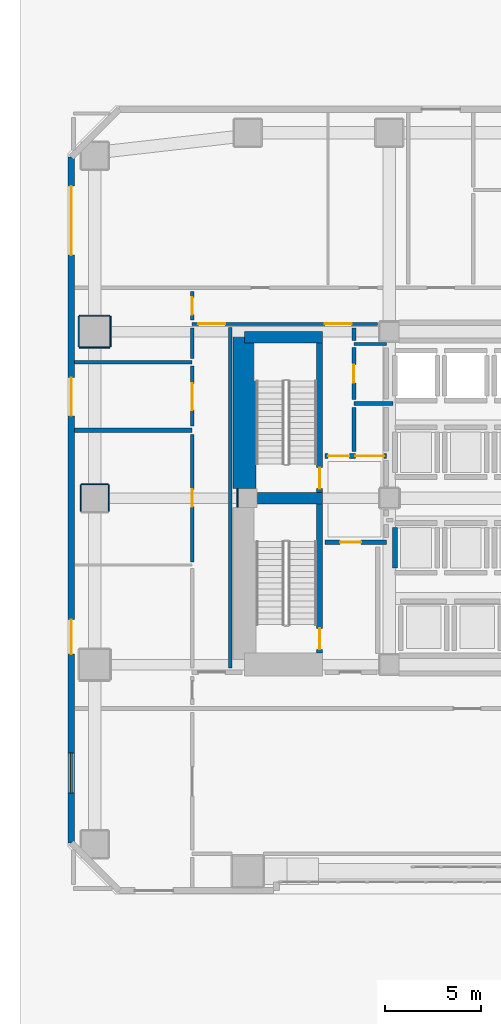
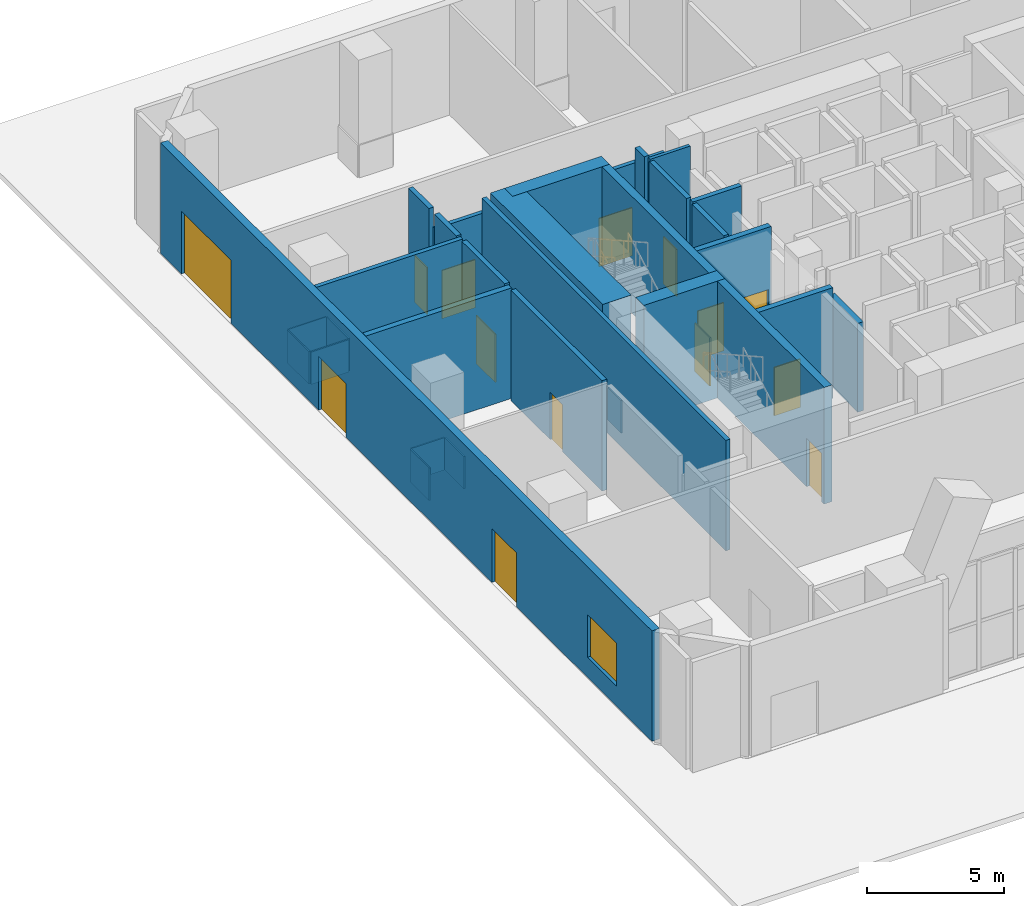
# One storey, part 20 of 30: 30 walls, 14 doors, 1 window, 15 openings.
"""IFC4 building model written with IfcOpenShell, lengths in metres."""

from ifc_helpers import new_model, si_unit, direction, frame, frame_2d, origin, place, context, subcontext, project, spatial, rectangle, extrude, material, layer, layer_set, type_object, element, fill, save


model = new_model("IFC4")

# Units and contexts
model_context = context("Model", 3, precision=1e-05, world=origin(), true_north=direction((0.0, 1.0)))
body_context = subcontext(model_context, "Body", "Model", "MODEL_VIEW")
ifc_project = project(units=[si_unit("LENGTHUNIT", "METRE"), si_unit("AREAUNIT", "SQUARE_METRE"), si_unit("VOLUMEUNIT", "CUBIC_METRE"), si_unit("PLANEANGLEUNIT", "RADIAN"), si_unit("MASSUNIT", "GRAM", prefix="KILO")], contexts=[model_context])

# Site, building, storey
site_placement = place(None, origin())
site = spatial("IfcSite", under=ifc_project, at=site_placement, CompositionType="ELEMENT")
building_placement = place(site_placement, origin())
building = spatial("IfcBuilding", under=site, at=building_placement, Name="Solanera Arch Residences", CompositionType="ELEMENT")
storey_placement = place(building_placement, origin())
storey = spatial("IfcBuildingStorey", under=building, at=storey_placement, Name="L00", CompositionType="ELEMENT", Elevation=0.0)

# Walls
ifc_material_1 = material(Name="Fire-Rated Gypsum Stud Partition", Category="gypsum")
ifc_layer_1 = layer(ifc_material_1, 0.06005859375)
ifc_layer_set_1 = layer_set([ifc_layer_1], Name="Fire-Rated Gypsum Stud Partition")
wall_type_1 = type_object("IfcWallType", Name="Column Acoustic Furring Wall 60", PredefinedType="PARTITIONING", material=ifc_layer_set_1)
wall_1_placement = place(storey_placement, frame((12.867919921875, 30.2099609375, 0.0), z_axis=(0.0, 0.0, 1.0), x_axis=(0.0, 1.0, 0.0)))
element("IfcWall", 1, at=wall_1_placement, inside=storey, type_object=wall_type_1, Name="L00 Column Furring 5W", PredefinedType="PARTITIONING", context=body_context, shape_type="SweptSolid", body=[
    extrude(rectangle(XDim=0.97998046875, YDim=0.06005859375, at=frame_2d((0.489990234375, 0.0))), origin(), (0.0, 0.0, 1.0), 1.449951171875),
])
wall_2_placement = place(storey_placement, frame((4.699951171875, 31.431884765625, 0.0), z_axis=(0.0, 0.0, 1.0), x_axis=(1.0, 0.0, 0.0)))
element("IfcWall", 2, at=wall_2_placement, inside=storey, type_object=wall_type_1, Name="L00 Column Furring 16N", PredefinedType="PARTITIONING", context=body_context, shape_type="SweptSolid", body=[
    extrude(rectangle(XDim=1.400146484375, YDim=0.06005859375, at=frame_2d((0.7001953125, 0.0))), origin(), (0.0, 0.0, 1.0), 1.449951171875),
])
for number, where, z_axis, x_axis, name in (
    (3, (4.66796875, 30.0, 0.0), (0.0, 0.0, 1.0), (0.0, 1.0, 0.0), "L00 Column Furring 16W"),
    (4, (6.132080078125, 30.0, 0.0), (0.0, 0.0, 1.0), (0.0, 1.0, 0.0), "L00 Column Furring 16E"),
):
    element("IfcWall", number, at=place(storey_placement, frame(where, z_axis=z_axis, x_axis=x_axis)), inside=storey, type_object=wall_type_1, Name=name, PredefinedType="PARTITIONING", context=body_context, shape_type="SweptSolid", body=[
        extrude(rectangle(XDim=1.39990234375, YDim=0.06005859375, at=frame_2d((0.699951171875, 0.0))), origin(), (0.0, 0.0, 1.0), 1.449951171875),
    ])
for number, where, z_axis, x_axis, name in (
    (5, (4.60009765625, 38.568115234375, 0.0), (0.0, 0.0, 1.0), (1.0, 0.0, 0.0), "L00 Column Furring 17S"),
    (6, (4.60009765625, 40.23193359375, 0.0), (0.0, 0.0, 1.0), (1.0, 0.0, 0.0), "L00 Column Furring 17N"),
    (7, (4.568115234375, 38.60009765625, 0.0), (0.0, 0.0, 1.0), (0.0, 1.0, 0.0), "L00 Column Furring 17W"),
    (8, (6.23193359375, 38.60009765625, 0.0), (0.0, 0.0, 1.0), (0.0, 1.0, 0.0), "L00 Column Furring 17E"),
):
    element("IfcWall", number, at=place(storey_placement, frame(where, z_axis=z_axis, x_axis=x_axis)), inside=storey, type_object=wall_type_1, Name=name, PredefinedType="PARTITIONING", context=body_context, shape_type="SweptSolid", body=[
        extrude(rectangle(XDim=1.599853515625, YDim=0.06005859375, at=frame_2d((0.7998046875, 0.0))), origin(), (0.0, 0.0, 1.0), 1.449951171875),
    ])
ifc_material_2 = material(Name="Concrete C55/67 (f'c = 60 MPa)", Category="concrete")
ifc_layer_2 = layer(ifc_material_2, 1.199951171875)
ifc_layer_set_2 = layer_set([ifc_layer_2], Name="Concrete C55/67 (f'c = 60 MPa)")
wall_type_2 = type_object("IfcWallType", Name="Core Shear Wall CW-1200", PredefinedType="SHEAR", material=ifc_layer_set_2)
wall_3_placement = place(storey_placement, frame((13.239990234375, 31.205078125, 0.0), z_axis=(0.0, 0.0, 1.0), x_axis=(0.0, 1.0, 0.0)))
element("IfcWall", 9, at=wall_3_placement, inside=storey, type_object=wall_type_2, Name="L00 West Core North Shear Wall", PredefinedType="SHEAR", context=body_context, shape_type="SweptSolid", body=[
    extrude(rectangle(XDim=8.19482421875, YDim=1.199951171875, at=frame_2d((4.097412109375, 0.0))), origin(), (0.0, 0.0, 1.0), 5.199951171875),
])

# Wall, opening, door
ifc_material_3 = material(Name="Concrete C40/50 (f'c = 45 MPa)", Category="concrete")
ifc_layer_3 = layer(ifc_material_3, 0.320068359375)
ifc_layer_set_3 = layer_set([ifc_layer_3], Name="Concrete C40/50 (f'c = 45 MPa)")
wall_type_3 = type_object("IfcWallType", Name="Core Shear Wall CW-320", PredefinedType="SHEAR", material=ifc_layer_set_3)
wall_4_placement = place(storey_placement, frame((17.159912109375, 31.0, 0.0), z_axis=(0.0, 0.0, 1.0), x_axis=(0.0, 1.0, 0.0)))
wall_4 = element("IfcWall", 10, at=wall_4_placement, inside=storey, type_object=wall_type_3, Name="L00 Stair ST-T1 East Shear Wall", PredefinedType="SHEAR", context=body_context, shape_type="SweptSolid", body=[
    extrude(rectangle(XDim=7.800048828125, YDim=0.320068359375, at=frame_2d((3.89990234375, 0.0))), origin(), (0.0, 0.0, 1.0), 5.199951171875),
])
opening_1_placement = place(wall_4_placement, frame((0.18994140625, 0.0, 0.0)))
opening_1 = element("IfcOpeningElement", 11, at=opening_1_placement, cuts=wall_4, Name="Opening DF-01", PredefinedType="OPENING", context=body_context, shape_type="SweptSolid", body=[
    extrude(rectangle(XDim=1.10009765625, YDim=2.14990234375, at=frame_2d((0.550048828125, 1.074951171875))), frame((0.0, 0.169921875, 0.0), z_axis=(0.0, -1.0, 0.0), x_axis=(1.0, 0.0, 0.0)), (0.0, 0.0, 1.0), 0.3401),
])
ifc_material_4 = material(Name="Fire-Rated Architectural Hardwood", Category="wood")
door_type_1 = type_object("IfcDoorType", Name="Stair Exit Fire Door DF-01", OperationType="NOTDEFINED", PredefinedType="DOOR", material=ifc_material_4)
door_1_placement = place(opening_1_placement, origin())
door_1 = element("IfcDoor", 12, at=door_1_placement, inside=storey, type_object=door_type_1, Name="DR-L00-STAIR-ST-T1", OperationType="SINGLE_SWING_LEFT", OverallHeight=2.14990234375, OverallWidth=1.10009765625, PredefinedType="DOOR", context=body_context, shape_type="SweptSolid", body=[
    extrude(rectangle(XDim=1.10009765625, YDim=2.14990234375, at=frame_2d((0.550048828125, 1.074951171875))), frame((0.0, 0.02490234375, 0.0), z_axis=(0.0, -1.0, 0.0), x_axis=(1.0, 0.0, 0.0)), (0.0, 0.0, 1.0), 0.050048828125),
])
fill(opening_1, door_1)

wall_5_placement = place(storey_placement, frame((17.159912109375, 22.60009765625, 0.0), z_axis=(0.0, 0.0, 1.0), x_axis=(0.0, 1.0, 0.0)))
wall_5 = element("IfcWall", 13, at=wall_5_placement, inside=storey, type_object=wall_type_3, Name="L00 Stair ST-T3 East Shear Wall", PredefinedType="SHEAR", context=body_context, shape_type="SweptSolid", body=[
    extrude(rectangle(XDim=7.7998046875, YDim=0.320068359375, at=frame_2d((3.89990234375, 0.0))), origin(), (0.0, 0.0, 1.0), 5.199951171875),
])
opening_2_placement = place(wall_5_placement, frame((0.18994140625, 0.0, 0.0)))
opening_2 = element("IfcOpeningElement", 14, at=opening_2_placement, cuts=wall_5, Name="Opening DF-01", PredefinedType="OPENING", context=body_context, shape_type="SweptSolid", body=[
    extrude(rectangle(XDim=1.10009765625, YDim=2.14990234375, at=frame_2d((0.550048828125, 1.074951171875))), frame((0.0, 0.169921875, 0.0), z_axis=(0.0, -1.0, 0.0), x_axis=(1.0, 0.0, 0.0)), (0.0, 0.0, 1.0), 0.3401),
])
door_2_placement = place(opening_2_placement, origin())
door_2 = element("IfcDoor", 15, at=door_2_placement, inside=storey, type_object=door_type_1, Name="DR-L00-STAIR-ST-T3", OperationType="SINGLE_SWING_LEFT", OverallHeight=2.14990234375, OverallWidth=1.10009765625, PredefinedType="DOOR", context=body_context, shape_type="SweptSolid", body=[
    extrude(rectangle(XDim=1.10009765625, YDim=2.14990234375, at=frame_2d((0.550048828125, 1.074951171875))), frame((0.0, 0.02490234375, 0.0), z_axis=(0.0, -1.0, 0.0), x_axis=(1.0, 0.0, 0.0)), (0.0, 0.0, 1.0), 0.050048828125),
])
fill(opening_2, door_2)

# Walls
ifc_material_5 = material(Name="Concrete C40/50 (f'c = 45 MPa)", Category="concrete")
ifc_layer_4 = layer(ifc_material_5, 0.60009765625)
ifc_layer_set_4 = layer_set([ifc_layer_4], Name="Concrete C40/50 (f'c = 45 MPa)")
wall_type_4 = type_object("IfcWallType", Name="Core Shear Wall CW-600", PredefinedType="SHEAR", material=ifc_layer_set_4)
wall_6_placement = place(storey_placement, frame((13.239990234375, 39.10009765625, 0.0), z_axis=(0.0, 0.0, 1.0), x_axis=(1.0, 0.0, 0.0)))
element("IfcWall", 16, at=wall_6_placement, inside=storey, type_object=wall_type_4, Name="L00 North-West Core Shear Wall", PredefinedType="SHEAR", context=body_context, shape_type="SweptSolid", body=[
    extrude(rectangle(XDim=4.080078125, YDim=0.60009765625, at=frame_2d((2.0400390625, 0.0))), origin(), (0.0, 0.0, 1.0), 5.199951171875),
])
wall_7_placement = place(storey_placement, frame((13.905029296875, 30.699951171875, 0.0), z_axis=(0.0, 0.0, 1.0), x_axis=(1.0, 0.0, 0.0)))
element("IfcWall", 17, at=wall_7_placement, inside=storey, type_object=wall_type_4, Name="L00 West Stair Divider Shear Wall", PredefinedType="SHEAR", context=body_context, shape_type="SweptSolid", body=[
    extrude(rectangle(XDim=3.4150390625, YDim=0.60009765625, at=frame_2d((1.70751953125, 0.0))), origin(), (0.0, 0.0, 1.0), 5.199951171875),
])
ifc_material_6 = material(Name="Autoclaved Aerated Concrete Blockwork", Category="masonry")
ifc_layer_5 = layer(ifc_material_6, 0.179931640625)
ifc_layer_set_5 = layer_set([ifc_layer_5], Name="Autoclaved Aerated Concrete Blockwork")
wall_type_5 = type_object("IfcWallType", Name="Corridor Fire Partition 180", PredefinedType="PARTITIONING", material=ifc_layer_set_5)
wall_8_placement = place(storey_placement, frame((4.35205078125, 37.800048828125, 0.0), z_axis=(0.0, 0.0, 1.0), x_axis=(1.0, 0.0, 0.0)))
element("IfcWall", 18, at=wall_8_placement, inside=storey, type_object=wall_type_5, Name="L00 Interior Partition H17", PredefinedType="PARTITIONING", context=body_context, shape_type="SweptSolid", body=[
    extrude(rectangle(XDim=6.14794921875, YDim=0.179931640625, at=frame_2d((3.073974609375, 0.0))), origin(), (0.0, 0.0, 1.0), 4.919921875),
])

# Wall, openings, doors
wall_9_placement = place(storey_placement, frame((10.5, 39.800048828125, 0.0), z_axis=(0.0, 0.0, 1.0), x_axis=(1.0, 0.0, 0.0)))
wall_9 = element("IfcWall", 19, at=wall_9_placement, inside=storey, type_object=wall_type_5, Name="L00 Interior Partition H18 1", PredefinedType="PARTITIONING", context=body_context, shape_type="SweptSolid", body=[
    extrude(rectangle(XDim=9.697998046875, YDim=0.179931640625, at=frame_2d((4.84912109375, 0.0))), origin(), (0.0, 0.0, 1.0), 4.155029296875),
])
opening_3_placement = place(wall_9_placement, frame((6.93505859375, 0.0, 0.0)))
opening_3 = element("IfcOpeningElement", 20, at=opening_3_placement, cuts=wall_9, Name="Opening DF-03", PredefinedType="OPENING", context=body_context, shape_type="SweptSolid", body=[
    extrude(rectangle(XDim=1.39990234375, YDim=2.14990234375, at=frame_2d((0.699951171875, 1.074951171875))), frame((0.0, 0.10009765625, 0.0), z_axis=(0.0, -1.0, 0.0), x_axis=(1.0, 0.0, 0.0)), (0.0, 0.0, 1.0), 0.1999),
])
opening_4_placement = place(wall_9_placement, frame((0.323974609375, 0.0, 0.0)))
opening_4 = element("IfcOpeningElement", 21, at=opening_4_placement, cuts=wall_9, Name="Opening DF-03", PredefinedType="OPENING", context=body_context, shape_type="SweptSolid", body=[
    extrude(rectangle(XDim=1.39990234375, YDim=2.14990234375, at=frame_2d((0.699951171875, 1.074951171875))), frame((0.0, 0.10009765625, 0.0), z_axis=(0.0, -1.0, 0.0), x_axis=(1.0, 0.0, 0.0)), (0.0, 0.0, 1.0), 0.1999),
])
ifc_material_7 = material(Name="Fire-Rated Architectural Hardwood", Category="wood")
door_type_2 = type_object("IfcDoorType", Name="Corridor Smoke Door DF-03", OperationType="NOTDEFINED", PredefinedType="DOOR", material=ifc_material_7)
door_3_placement = place(opening_3_placement, origin())
door_3 = element("IfcDoor", 22, at=door_3_placement, inside=storey, type_object=door_type_2, Name="DR-L00-IN-014", OperationType="SINGLE_SWING_RIGHT", OverallHeight=2.14990234375, OverallWidth=1.39990234375, PredefinedType="DOOR", context=body_context, shape_type="SweptSolid", body=[
    extrude(rectangle(XDim=1.39990234375, YDim=2.14990234375, at=frame_2d((0.699951171875, 1.074951171875))), frame((0.0, 0.02490234375, 0.0), z_axis=(0.0, -1.0, 0.0), x_axis=(1.0, 0.0, 0.0)), (0.0, 0.0, 1.0), 0.050048828125),
])
fill(opening_3, door_3)
door_4_placement = place(opening_4_placement, origin())
door_4 = element("IfcDoor", 23, at=door_4_placement, inside=storey, type_object=door_type_2, Name="DR-L00-IN-019", OperationType="SINGLE_SWING_LEFT", OverallHeight=2.14990234375, OverallWidth=1.39990234375, PredefinedType="DOOR", context=body_context, shape_type="SweptSolid", body=[
    extrude(rectangle(XDim=1.39990234375, YDim=2.14990234375, at=frame_2d((0.699951171875, 1.074951171875))), frame((0.0, 0.02490234375, 0.0), z_axis=(0.0, -1.0, 0.0), x_axis=(1.0, 0.0, 0.0)), (0.0, 0.0, 1.0), 0.050048828125),
])
fill(opening_4, door_4)

# Wall
wall_10_placement = place(storey_placement, frame((12.5, 21.818115234375, 0.0), z_axis=(0.0, 0.0, 1.0), x_axis=(0.0, 1.0, 0.0)))
element("IfcWall", 24, at=wall_10_placement, inside=storey, type_object=wall_type_5, Name="L00 Interior Partition V10", PredefinedType="PARTITIONING", context=body_context, shape_type="SweptSolid", body=[
    extrude(rectangle(XDim=17.7939453125, YDim=0.179931640625, at=frame_2d((8.89697265625, 0.0))), origin(), (0.0, 0.0, 1.0), 4.919921875),
])

# Wall, openings, doors, window
ifc_material_8 = material(Name="Precast Concrete C35/45", Category="concrete")
ifc_layer_6 = layer(ifc_material_8, 0.320068359375)
ifc_layer_set_6 = layer_set([ifc_layer_6], Name="Precast Concrete C35/45")
wall_type_6 = type_object("IfcWallType", Name="Exterior Wall Precast Masonry-Frame 320", PredefinedType="STANDARD", material=ifc_layer_set_6)
wall_11_placement = place(storey_placement, frame((4.179931640625, 12.679931640625, 0.0), z_axis=(0.0, 0.0, 1.0), x_axis=(0.0, 1.0, 0.0)))
wall_11 = element("IfcWall", 25, at=wall_11_placement, inside=storey, type_object=wall_type_6, Name="L00 Podium Precast Masonry-Frame Wall 1", PredefinedType="STANDARD", context=body_context, shape_type="SweptSolid", body=[
    extrude(rectangle(XDim=35.840087890625, YDim=0.320068359375, at=frame_2d((17.919921875, 0.0))), origin(), (0.0, 0.0, 1.0), 4.919921875),
])
opening_5_placement = place(wall_11_placement, frame((9.8701171875, 0.0, 0.0)))
opening_5 = element("IfcOpeningElement", 26, at=opening_5_placement, cuts=wall_11, Name="Opening EX-02", PredefinedType="OPENING", context=body_context, shape_type="SweptSolid", body=[
    extrude(rectangle(XDim=1.800048828125, YDim=2.39990234375, at=frame_2d((0.89990234375, 1.199951171875))), frame((0.0, 0.169921875, 0.0), z_axis=(0.0, -1.0, 0.0), x_axis=(1.0, 0.0, 0.0)), (0.0, 0.0, 1.0), 0.3401),
])
opening_6_placement = place(wall_11_placement, frame((22.320068359375, 0.0, 0.0)))
opening_6 = element("IfcOpeningElement", 27, at=opening_6_placement, cuts=wall_11, Name="Opening EX-01", PredefinedType="OPENING", context=body_context, shape_type="SweptSolid", body=[
    extrude(rectangle(XDim=2.0, YDim=2.39990234375, at=frame_2d((1.0, 1.199951171875))), frame((0.0, 0.169921875, 0.0), z_axis=(0.0, -1.0, 0.0), x_axis=(1.0, 0.0, 0.0)), (0.0, 0.0, 1.0), 0.3401),
])
opening_7_placement = place(wall_11_placement, frame((30.719970703125, 0.0, 0.0)))
opening_7 = element("IfcOpeningElement", 28, at=opening_7_placement, cuts=wall_11, Name="Opening RG-02", PredefinedType="OPENING", context=body_context, shape_type="SweptSolid", body=[
    extrude(rectangle(XDim=3.60009765625, YDim=2.800048828125, at=frame_2d((1.800048828125, 1.39990234375))), frame((0.0, 0.169921875, 0.0), z_axis=(0.0, -1.0, 0.0), x_axis=(1.0, 0.0, 0.0)), (0.0, 0.0, 1.0), 0.3401),
])
opening_8_placement = place(wall_11_placement, frame((2.60009765625, 0.0, 0.89990234375)))
opening_8 = element("IfcOpeningElement", 29, at=opening_8_placement, cuts=wall_11, Name="Opening W-04", PredefinedType="OPENING", context=body_context, shape_type="SweptSolid", body=[
    extrude(rectangle(XDim=2.10009765625, YDim=1.89990234375, at=frame_2d((1.050048828125, 0.949951171875))), frame((0.0, 0.169921875, 0.0), z_axis=(0.0, -1.0, 0.0), x_axis=(1.0, 0.0, 0.0)), (0.0, 0.0, 1.0), 0.3401),
])
ifc_material_9 = material(Name="Anodised Aluminium Alloy 6063-T6", Category="aluminium")
door_type_3 = type_object("IfcDoorType", Name="Ground Final Exit Double Door EX-01", OperationType="NOTDEFINED", PredefinedType="DOOR", material=ifc_material_9)
door_5_placement = place(opening_6_placement, origin())
door_5 = element("IfcDoor", 30, at=door_5_placement, inside=storey, type_object=door_type_3, Name="DR-L00-EX-TWR-W", OperationType="DOUBLE_DOOR_SINGLE_SWING", OverallHeight=2.39990234375, OverallWidth=2.0, PredefinedType="DOOR", context=body_context, shape_type="SweptSolid", body=[
    extrude(rectangle(XDim=2.0, YDim=2.39990234375, at=frame_2d((1.0, 1.199951171875))), frame((0.0, 0.02490234375, 0.0), z_axis=(0.0, -1.0, 0.0), x_axis=(1.0, 0.0, 0.0)), (0.0, 0.0, 1.0), 0.050048828125),
])
fill(opening_6, door_5)
ifc_material_10 = material(Name="Anodised Aluminium Alloy 6063-T6", Category="aluminium")
door_type_4 = type_object("IfcDoorType", Name="Loading Dock Roller Gate RG-02", OperationType="NOTDEFINED", PredefinedType="GATE", material=ifc_material_10)
door_6_placement = place(opening_7_placement, origin())
door_6 = element("IfcDoor", 31, at=door_6_placement, inside=storey, type_object=door_type_4, Name="DR-L00-LOAD", OperationType="ROLLINGUP", OverallHeight=2.800048828125, OverallWidth=3.60009765625, PredefinedType="GATE", context=body_context, shape_type="SweptSolid", body=[
    extrude(rectangle(XDim=3.60009765625, YDim=2.800048828125, at=frame_2d((1.800048828125, 1.39990234375))), frame((0.0, 0.02490234375, 0.0), z_axis=(0.0, -1.0, 0.0), x_axis=(1.0, 0.0, 0.0)), (0.0, 0.0, 1.0), 0.050048828125),
])
fill(opening_7, door_6)
ifc_material_11 = material(Name="Anodised Aluminium Alloy 6063-T6", Category="aluminium")
door_type_5 = type_object("IfcDoorType", Name="Paseo Retail Entrance Door EX-02", OperationType="NOTDEFINED", PredefinedType="DOOR", material=ifc_material_11)
door_7_placement = place(opening_5_placement, origin())
door_7 = element("IfcDoor", 32, at=door_7_placement, inside=storey, type_object=door_type_5, Name="DR-L00-RET-W", OperationType="DOUBLE_DOOR_SINGLE_SWING", OverallHeight=2.39990234375, OverallWidth=1.800048828125, PredefinedType="DOOR", context=body_context, shape_type="SweptSolid", body=[
    extrude(rectangle(XDim=1.800048828125, YDim=2.39990234375, at=frame_2d((0.89990234375, 1.199951171875))), frame((0.0, 0.02490234375, 0.0), z_axis=(0.0, -1.0, 0.0), x_axis=(1.0, 0.0, 0.0)), (0.0, 0.0, 1.0), 0.050048828125),
])
fill(opening_5, door_7)
ifc_material_12 = material(Name="Double Glazed Low-E Laminated Glass", Category="glass")
window_type = type_object("IfcWindowType", Name="Punched Window W-04", PartitioningType="DOUBLE_PANEL_VERTICAL", PredefinedType="WINDOW", material=ifc_material_12)
window_placement = place(opening_8_placement, origin())
window = element("IfcWindow", 33, at=window_placement, inside=storey, type_object=window_type, Name="L00 West Retail Window 1", OverallHeight=1.89990234375, OverallWidth=2.10009765625, PartitioningType="SINGLE_PANEL", PredefinedType="WINDOW", context=body_context, shape_type="SweptSolid", body=[
    extrude(rectangle(XDim=2.10009765625, YDim=1.89990234375, at=frame_2d((1.050048828125, 0.949951171875))), frame((0.0, 0.030029296875, 0.0), z_axis=(0.0, -1.0, 0.0), x_axis=(1.0, 0.0, 0.0)), (0.0, 0.0, 1.0), 0.06005859375),
])
fill(opening_8, window)

# Wall
ifc_material_13 = material(Name="Autoclaved Aerated Concrete Blockwork", Category="masonry")
ifc_layer_7 = layer(ifc_material_13, 0.199951171875)
ifc_layer_set_7 = layer_set([ifc_layer_7], Name="Autoclaved Aerated Concrete Blockwork")
wall_type_7 = type_object("IfcWallType", Name="Party Wall Acoustic 200", PredefinedType="PARTITIONING", material=ifc_layer_set_7)
wall_12_placement = place(storey_placement, frame((18.949951171875, 35.64990234375, 0.0), z_axis=(0.0, 0.0, 1.0), x_axis=(1.0, 0.0, 0.0)))
element("IfcWall", 34, at=wall_12_placement, inside=storey, type_object=wall_type_7, Name="L00 Interior Partition H9 1", PredefinedType="PARTITIONING", context=body_context, shape_type="SweptSolid", body=[
    extrude(rectangle(XDim=2.046142578125, YDim=0.199951171875, at=frame_2d((1.02294921875, 0.0))), origin(), (0.0, 0.0, 1.0), 4.919921875),
])

# Wall, opening, door
wall_13_placement = place(storey_placement, frame((10.5, 27.367919921875, 0.0), z_axis=(0.0, 0.0, 1.0), x_axis=(0.0, 1.0, 0.0)))
wall_13 = element("IfcWall", 35, at=wall_13_placement, inside=storey, type_object=wall_type_7, Name="L00 Interior Partition V8 5", PredefinedType="PARTITIONING", context=body_context, shape_type="SweptSolid", body=[
    extrude(rectangle(XDim=6.654052734375, YDim=0.199951171875, at=frame_2d((3.3271484375, 0.0))), origin(), (0.0, 0.0, 1.0), 4.919921875),
])
opening_9_placement = place(wall_13_placement, frame((2.882080078125, 0.0, 0.0)))
opening_9 = element("IfcOpeningElement", 36, at=opening_9_placement, cuts=wall_13, Name="Opening DI-02", PredefinedType="OPENING", context=body_context, shape_type="SweptSolid", body=[
    extrude(rectangle(XDim=0.89990234375, YDim=2.10009765625, at=frame_2d((0.449951171875, 1.050048828125))), frame((0.0, 0.110107421875, 0.0), z_axis=(0.0, -1.0, 0.0), x_axis=(1.0, 0.0, 0.0)), (0.0, 0.0, 1.0), 0.22),
])
ifc_material_14 = material(Name="Fire-Rated Architectural Hardwood", Category="wood")
door_type_6 = type_object("IfcDoorType", Name="Suite Room Swing Door DI-02", OperationType="NOTDEFINED", PredefinedType="DOOR", material=ifc_material_14)
door_8_placement = place(opening_9_placement, origin())
door_8 = element("IfcDoor", 37, at=door_8_placement, inside=storey, type_object=door_type_6, Name="DR-L00-IN-034", OperationType="SINGLE_SWING_RIGHT", OverallHeight=2.10009765625, OverallWidth=0.89990234375, PredefinedType="DOOR", context=body_context, shape_type="SweptSolid", body=[
    extrude(rectangle(XDim=0.89990234375, YDim=2.10009765625, at=frame_2d((0.449951171875, 1.050048828125))), frame((0.0, 0.02490234375, 0.0), z_axis=(0.0, -1.0, 0.0), x_axis=(1.0, 0.0, 0.0)), (0.0, 0.0, 1.0), 0.050048828125),
])
fill(opening_9, door_8)

wall_14_placement = place(storey_placement, frame((10.5, 34.47802734375, 0.0), z_axis=(0.0, 0.0, 1.0), x_axis=(0.0, 1.0, 0.0)))
wall_14 = element("IfcWall", 38, at=wall_14_placement, inside=storey, type_object=wall_type_7, Name="L00 Interior Partition V8 6", PredefinedType="PARTITIONING", context=body_context, shape_type="SweptSolid", body=[
    extrude(rectangle(XDim=3.1240234375, YDim=0.199951171875, at=frame_2d((1.56201171875, 0.0))), origin(), (0.0, 0.0, 1.0), 4.919921875),
])
opening_10_placement = place(wall_14_placement, frame((0.822021484375, 0.0, 0.0)))
opening_10 = element("IfcOpeningElement", 39, at=opening_10_placement, cuts=wall_14, Name="Opening DF-03", PredefinedType="OPENING", context=body_context, shape_type="SweptSolid", body=[
    extrude(rectangle(XDim=1.39990234375, YDim=2.14990234375, at=frame_2d((0.699951171875, 1.074951171875))), frame((0.0, 0.110107421875, 0.0), z_axis=(0.0, -1.0, 0.0), x_axis=(1.0, 0.0, 0.0)), (0.0, 0.0, 1.0), 0.22),
])
door_9_placement = place(opening_10_placement, origin())
door_9 = element("IfcDoor", 40, at=door_9_placement, inside=storey, type_object=door_type_2, Name="DR-L00-IN-022", OperationType="SINGLE_SWING_RIGHT", OverallHeight=2.14990234375, OverallWidth=1.39990234375, PredefinedType="DOOR", context=body_context, shape_type="SweptSolid", body=[
    extrude(rectangle(XDim=1.39990234375, YDim=2.14990234375, at=frame_2d((0.699951171875, 1.074951171875))), frame((0.0, 0.02490234375, 0.0), z_axis=(0.0, -1.0, 0.0), x_axis=(1.0, 0.0, 0.0)), (0.0, 0.0, 1.0), 0.050048828125),
])
fill(opening_10, door_9)

# Wall
wall_15_placement = place(storey_placement, frame((10.5, 37.998046875, 0.0), z_axis=(0.0, 0.0, 1.0), x_axis=(0.0, 1.0, 0.0)))
element("IfcWall", 41, at=wall_15_placement, inside=storey, type_object=wall_type_7, Name="L00 Interior Partition V8 7", PredefinedType="PARTITIONING", context=body_context, shape_type="SweptSolid", body=[
    extrude(rectangle(XDim=1.60400390625, YDim=0.199951171875, at=frame_2d((0.802001953125, 0.0))), origin(), (0.0, 0.0, 1.0), 4.919921875),
])

# Wall, opening, door
wall_16_placement = place(storey_placement, frame((10.5, 39.998046875, 0.0), z_axis=(0.0, 0.0, 1.0), x_axis=(0.0, 1.0, 0.0)))
wall_16 = element("IfcWall", 42, at=wall_16_placement, inside=storey, type_object=wall_type_7, Name="L00 Interior Partition V8 8", PredefinedType="PARTITIONING", context=body_context, shape_type="SweptSolid", body=[
    extrude(rectangle(XDim=1.50390625, YDim=0.199951171875, at=frame_2d((0.751953125, 0.0))), origin(), (0.0, 0.0, 1.0), 4.919921875),
])
opening_11_placement = place(wall_16_placement, frame((0.2880859375, 0.0, 0.0)))
opening_11 = element("IfcOpeningElement", 43, at=opening_11_placement, cuts=wall_16, Name="Opening DI-02", PredefinedType="OPENING", context=body_context, shape_type="SweptSolid", body=[
    extrude(rectangle(XDim=0.89990234375, YDim=2.10009765625, at=frame_2d((0.449951171875, 1.050048828125))), frame((0.0, 0.110107421875, 0.0), z_axis=(0.0, -1.0, 0.0), x_axis=(1.0, 0.0, 0.0)), (0.0, 0.0, 1.0), 0.22),
])
door_10_placement = place(opening_11_placement, origin())
door_10 = element("IfcDoor", 44, at=door_10_placement, inside=storey, type_object=door_type_6, Name="DR-L00-IN-035", OperationType="SINGLE_SWING_LEFT", OverallHeight=2.10009765625, OverallWidth=0.89990234375, PredefinedType="DOOR", context=body_context, shape_type="SweptSolid", body=[
    extrude(rectangle(XDim=0.89990234375, YDim=2.10009765625, at=frame_2d((0.449951171875, 1.050048828125))), frame((0.0, 0.02490234375, 0.0), z_axis=(0.0, -1.0, 0.0), x_axis=(1.0, 0.0, 0.0)), (0.0, 0.0, 1.0), 0.050048828125),
])
fill(opening_11, door_10)

# Wall
wall_17_placement = place(storey_placement, frame((18.949951171875, 33.1279296875, 0.0), z_axis=(0.0, 0.0, 1.0), x_axis=(0.0, 1.0, 0.0)))
element("IfcWall", 45, at=wall_17_placement, inside=storey, type_object=wall_type_7, Name="L00 Interior Partition V9 1", PredefinedType="PARTITIONING", context=body_context, shape_type="SweptSolid", body=[
    extrude(rectangle(XDim=2.31396484375, YDim=0.199951171875, at=frame_2d((1.156982421875, 0.0))), origin(), (0.0, 0.0, 1.0), 4.919921875),
])

# Wall, opening, door
wall_18_placement = place(storey_placement, frame((18.949951171875, 35.85791015625, 0.0), z_axis=(0.0, 0.0, 1.0), x_axis=(0.0, 1.0, 0.0)))
wall_18 = element("IfcWall", 46, at=wall_18_placement, inside=storey, type_object=wall_type_7, Name="L00 Interior Partition V9 2", PredefinedType="PARTITIONING", context=body_context, shape_type="SweptSolid", body=[
    extrude(rectangle(XDim=2.714111328125, YDim=0.199951171875, at=frame_2d((1.35693359375, 0.0))), origin(), (0.0, 0.0, 1.0), 4.919921875),
])
opening_12_placement = place(wall_18_placement, frame((0.866943359375, 0.0, 0.0)))
opening_12 = element("IfcOpeningElement", 47, at=opening_12_placement, cuts=wall_18, Name="Opening DI-04", PredefinedType="OPENING", context=body_context, shape_type="SweptSolid", body=[
    extrude(rectangle(XDim=0.949951171875, YDim=2.10009765625, at=frame_2d((0.47509765625, 1.050048828125))), frame((0.0, 0.110107421875, 0.0), z_axis=(0.0, -1.0, 0.0), x_axis=(1.0, 0.0, 0.0)), (0.0, 0.0, 1.0), 0.22),
])
ifc_material_15 = material(Name="Fire-Rated Architectural Hardwood", Category="wood")
door_type_7 = type_object("IfcDoorType", Name="Accessible Restroom Door DI-04", OperationType="NOTDEFINED", PredefinedType="DOOR", material=ifc_material_15)
door_11_placement = place(opening_12_placement, origin())
door_11 = element("IfcDoor", 48, at=door_11_placement, inside=storey, type_object=door_type_7, Name="DR-L00-IN-031", OperationType="SINGLE_SWING_LEFT", OverallHeight=2.10009765625, OverallWidth=0.949951171875, PredefinedType="DOOR", context=body_context, shape_type="SweptSolid", body=[
    extrude(rectangle(XDim=0.949951171875, YDim=2.10009765625, at=frame_2d((0.47509765625, 1.050048828125))), frame((0.0, 0.02490234375, 0.0), z_axis=(0.0, -1.0, 0.0), x_axis=(1.0, 0.0, 0.0)), (0.0, 0.0, 1.0), 0.050048828125),
])
fill(opening_12, door_11)

# Walls
wall_19_placement = place(storey_placement, frame((18.949951171875, 38.927978515625, 0.0), z_axis=(0.0, 0.0, 1.0), x_axis=(0.0, 1.0, 0.0)))
element("IfcWall", 49, at=wall_19_placement, inside=storey, type_object=wall_type_7, Name="L00 Interior Partition V9 3", PredefinedType="PARTITIONING", context=body_context, shape_type="SweptSolid", body=[
    extrude(rectangle(XDim=0.674072265625, YDim=0.199951171875, at=frame_2d((0.3369140625, 0.0))), origin(), (0.0, 0.0, 1.0), 4.919921875),
])
ifc_material_16 = material(Name="Autoclaved Aerated Concrete Blockwork", Category="masonry")
ifc_layer_8 = layer(ifc_material_16, 0.239990234375)
ifc_layer_set_8 = layer_set([ifc_layer_8], Name="Autoclaved Aerated Concrete Blockwork")
wall_type_8 = type_object("IfcWallType", Name="Shaft Wall Fire-Rated 240", PredefinedType="PARTITIONING", material=ifc_layer_set_8)
wall_20_placement = place(storey_placement, frame((21.10009765625, 27.048095703125, 0.0), z_axis=(0.0, 0.0, 1.0), x_axis=(0.0, 1.0, 0.0)))
element("IfcWall", 50, at=wall_20_placement, inside=storey, type_object=wall_type_8, Name="L00 Lift PL-H1 Hoistway Wall W", PredefinedType="PARTITIONING", context=body_context, shape_type="SweptSolid", body=[
    extrude(rectangle(XDim=2.10400390625, YDim=0.239990234375, at=frame_2d((1.052001953125, 0.0))), origin(), (0.0, 0.0, 1.0), 3.955078125),
])

# Wall, opening, door
wall_21_placement = place(storey_placement, frame((17.449951171875, 28.39990234375, 0.0), z_axis=(0.0, 0.0, 1.0), x_axis=(1.0, 0.0, 0.0)))
wall_21 = element("IfcWall", 51, at=wall_21_placement, inside=storey, type_object=wall_type_8, Name="L00 Interior Partition H3", PredefinedType="PARTITIONING", context=body_context, shape_type="SweptSolid", body=[
    extrude(rectangle(XDim=3.199951171875, YDim=0.239990234375, at=frame_2d((1.60009765625, 0.0))), origin(), (0.0, 0.0, 1.0), 4.919921875),
])
opening_13_placement = place(wall_21_placement, frame((0.783935546875, 0.0, 0.0)))
opening_13 = element("IfcOpeningElement", 52, at=opening_13_placement, cuts=wall_21, Name="Opening DF-02", PredefinedType="OPENING", context=body_context, shape_type="SweptSolid", body=[
    extrude(rectangle(XDim=1.10009765625, YDim=2.14990234375, at=frame_2d((0.550048828125, 1.074951171875))), frame((0.0, 0.1298828125, 0.0), z_axis=(0.0, -1.0, 0.0), x_axis=(1.0, 0.0, 0.0)), (0.0, 0.0, 1.0), 0.26),
])
ifc_material_17 = material(Name="Fire-Rated Architectural Hardwood", Category="wood")
door_type_8 = type_object("IfcDoorType", Name="Firefighting Lobby Fire Door DF-02", OperationType="NOTDEFINED", PredefinedType="DOOR", material=ifc_material_17)
door_12_placement = place(opening_13_placement, origin())
door_12 = element("IfcDoor", 53, at=door_12_placement, inside=storey, type_object=door_type_8, Name="DR-L00-IN-009", OperationType="SINGLE_SWING_LEFT", OverallHeight=2.14990234375, OverallWidth=1.10009765625, PredefinedType="DOOR", context=body_context, shape_type="SweptSolid", body=[
    extrude(rectangle(XDim=1.10009765625, YDim=2.14990234375, at=frame_2d((0.550048828125, 1.074951171875))), frame((0.0, 0.02490234375, 0.0), z_axis=(0.0, -1.0, 0.0), x_axis=(1.0, 0.0, 0.0)), (0.0, 0.0, 1.0), 0.050048828125),
])
fill(opening_13, door_12)

# Wall, openings, doors
wall_22_placement = place(storey_placement, frame((17.449951171875, 32.89990234375, 0.0), z_axis=(0.0, 0.0, 1.0), x_axis=(1.0, 0.0, 0.0)))
wall_22 = element("IfcWall", 54, at=wall_22_placement, inside=storey, type_object=wall_type_8, Name="L00 Interior Partition H4", PredefinedType="PARTITIONING", context=body_context, shape_type="SweptSolid", body=[
    extrude(rectangle(XDim=3.199951171875, YDim=0.239990234375, at=frame_2d((1.60009765625, 0.0))), origin(), (0.0, 0.0, 1.0), 4.919921875),
])
opening_14_placement = place(wall_22_placement, frame((0.158935546875, 0.0, 0.0)))
opening_14 = element("IfcOpeningElement", 55, at=opening_14_placement, cuts=wall_22, Name="Opening DF-02", PredefinedType="OPENING", context=body_context, shape_type="SweptSolid", body=[
    extrude(rectangle(XDim=1.10009765625, YDim=2.14990234375, at=frame_2d((0.550048828125, 1.074951171875))), frame((0.0, 0.1298828125, 0.0), z_axis=(0.0, -1.0, 0.0), x_axis=(1.0, 0.0, 0.0)), (0.0, 0.0, 1.0), 0.26),
])
opening_15_placement = place(wall_22_placement, frame((1.575927734375, 0.0, 0.0)))
opening_15 = element("IfcOpeningElement", 56, at=opening_15_placement, cuts=wall_22, Name="Opening DP-01", PredefinedType="OPENING", context=body_context, shape_type="SweptSolid", body=[
    extrude(rectangle(XDim=1.5, YDim=2.14990234375, at=frame_2d((0.75, 1.074951171875))), frame((0.0, 0.1298828125, 0.0), z_axis=(0.0, -1.0, 0.0), x_axis=(1.0, 0.0, 0.0)), (0.0, 0.0, 1.0), 0.26),
])
door_13_placement = place(opening_14_placement, origin())
door_13 = element("IfcDoor", 57, at=door_13_placement, inside=storey, type_object=door_type_8, Name="DR-L00-IN-010", OperationType="SINGLE_SWING_RIGHT", OverallHeight=2.14990234375, OverallWidth=1.10009765625, PredefinedType="DOOR", context=body_context, shape_type="SweptSolid", body=[
    extrude(rectangle(XDim=1.10009765625, YDim=2.14990234375, at=frame_2d((0.550048828125, 1.074951171875))), frame((0.0, 0.02490234375, 0.0), z_axis=(0.0, -1.0, 0.0), x_axis=(1.0, 0.0, 0.0)), (0.0, 0.0, 1.0), 0.050048828125),
])
fill(opening_14, door_13)
ifc_material_18 = material(Name="Fire-Rated Architectural Hardwood", Category="wood")
door_type_9 = type_object("IfcDoorType", Name="Plant Double Fire Door DP-01", OperationType="NOTDEFINED", PredefinedType="DOOR", material=ifc_material_18)
door_14_placement = place(opening_15_placement, origin())
door_14 = element("IfcDoor", 58, at=door_14_placement, inside=storey, type_object=door_type_9, Name="DR-L00-IN-029", OperationType="SINGLE_SWING_LEFT", OverallHeight=2.14990234375, OverallWidth=1.5, PredefinedType="DOOR", context=body_context, shape_type="SweptSolid", body=[
    extrude(rectangle(XDim=1.5, YDim=2.14990234375, at=frame_2d((0.75, 1.074951171875))), frame((0.0, 0.02490234375, 0.0), z_axis=(0.0, -1.0, 0.0), x_axis=(1.0, 0.0, 0.0)), (0.0, 0.0, 1.0), 0.050048828125),
])
fill(opening_15, door_14)

# Walls
wall_23_placement = place(storey_placement, frame((4.35205078125, 34.25, 0.0), z_axis=(0.0, 0.0, 1.0), x_axis=(1.0, 0.0, 0.0)))
element("IfcWall", 59, at=wall_23_placement, inside=storey, type_object=wall_type_8, Name="L00 Interior Partition H5", PredefinedType="PARTITIONING", context=body_context, shape_type="SweptSolid", body=[
    extrude(rectangle(XDim=6.14794921875, YDim=0.239990234375, at=frame_2d((3.073974609375, 0.0))), origin(), (0.0, 0.0, 1.0), 4.919921875),
])
ifc_material_19 = material(Name="Autoclaved Aerated Concrete Blockwork", Category="masonry")
ifc_layer_9 = layer(ifc_material_19, 0.139892578125)
ifc_layer_set_9 = layer_set([ifc_layer_9], Name="Autoclaved Aerated Concrete Blockwork")
wall_type_9 = type_object("IfcWallType", Name="Wet-Room Partition 140", PredefinedType="PARTITIONING", material=ifc_layer_set_9)
wall_24_placement = place(storey_placement, frame((18.949951171875, 38.75, 0.0), z_axis=(0.0, 0.0, 1.0), x_axis=(1.0, 0.0, 0.0)))
element("IfcWall", 60, at=wall_24_placement, inside=storey, type_object=wall_type_9, Name="L00 Interior Partition H24", PredefinedType="PARTITIONING", context=body_context, shape_type="SweptSolid", body=[
    extrude(rectangle(XDim=1.699951171875, YDim=0.139892578125, at=frame_2d((0.85009765625, 0.0))), origin(), (0.0, 0.0, 1.0), 4.919921875),
])

save(model, "model.ifc")
